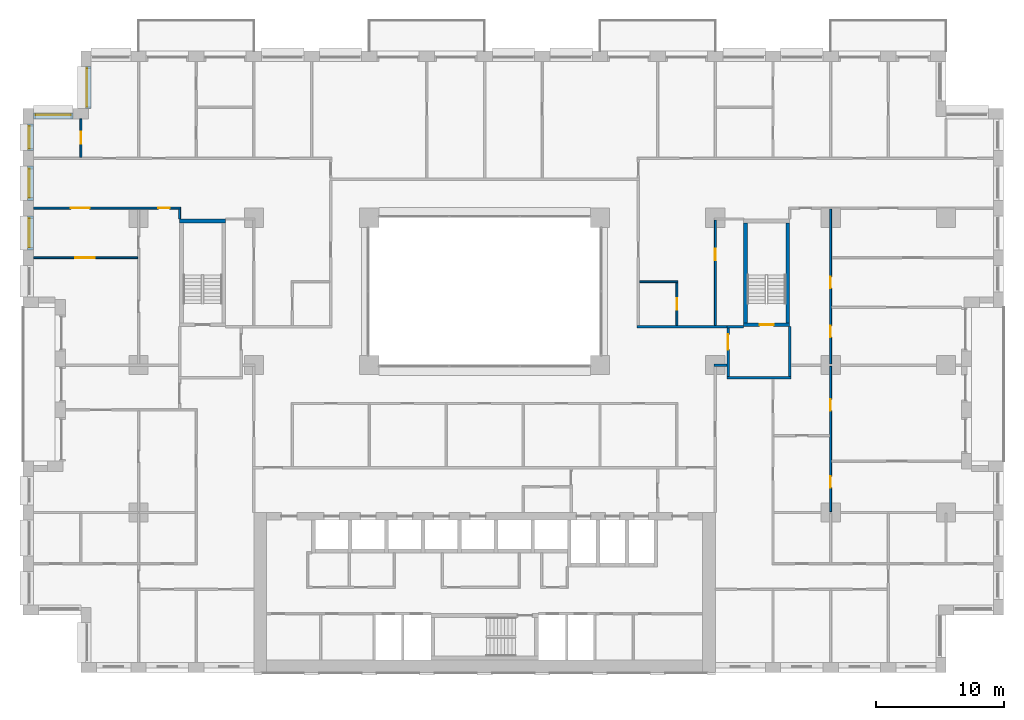
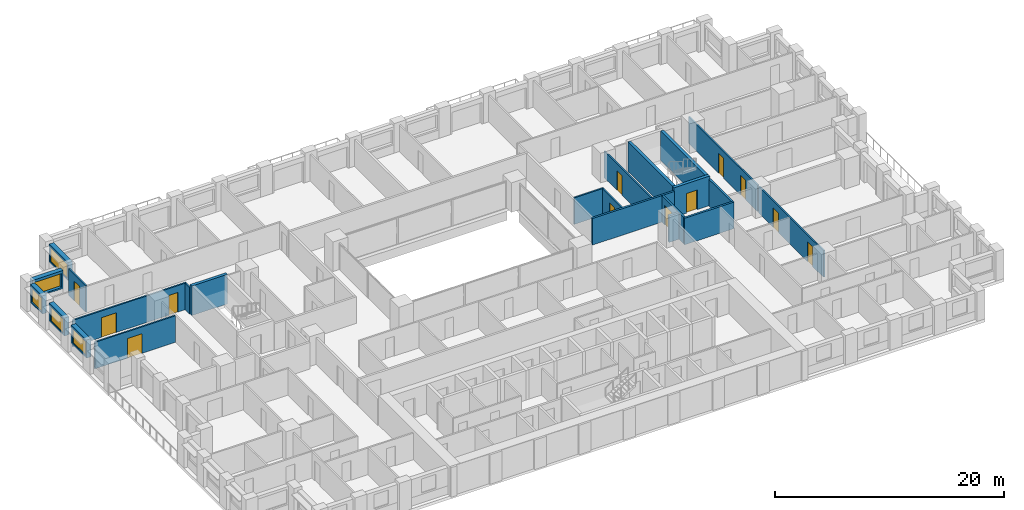
# One storey, part 13 of 19: 24 walls, 12 doors, 5 windows, 17 openings.
"""IFC4 building model written with IfcOpenShell, lengths in metres."""

import ifcopenshell
import ifcopenshell.guid

model = None  # the IFC model being written
_history = None  # IfcOwnerHistory: only IFC2X3 demands one
_inside = {}  # id of a spatial element -> (the spatial element, [elements in it])
_under = {}  # id of a project, library or spatial element -> (it, [spatial elements below it])
_declared = {}  # id of a project -> (the project, [libraries it declares])
_typed = {}  # id of a type object -> (the type object, [elements of that type])
_made_of = {}  # id of a material, layer set ... -> (it, [elements and type objects made of it])


def new_model(schema):
    """Start an empty IFC model of exactly this schema.

    Asked for "IFC4X3", IfcOpenShell would pick the latest addendum, in which some entities
    have other attributes; the version numbers below select the first issue.
    IFC2X3 requires an IfcOwnerHistory on every rooted entity: one is made here for all.
    """
    global model, _history
    if schema == "IFC4X3":
        model = ifcopenshell.file(schema_version=(4, 3, 0, 0))
    else:
        model = ifcopenshell.file(schema=schema)
    _inside.clear()
    _under.clear()
    _declared.clear()
    _typed.clear()
    _made_of.clear()
    _history = None
    if model.schema == "IFC2X3":
        org = make("IfcOrganization", Name="unknown")
        user = make(
            "IfcPersonAndOrganization",
            ThePerson=make("IfcPerson", FamilyName="unknown"),
            TheOrganization=org,
        )
        app = make(
            "IfcApplication",
            ApplicationDeveloper=org,
            Version="unknown",
            ApplicationFullName="unknown",
            ApplicationIdentifier="unknown",
        )
        _history = make(
            "IfcOwnerHistory",
            OwningUser=user,
            OwningApplication=app,
            ChangeAction="ADDED",
            CreationDate=0,
        )
    return model


def make(cls, **values):
    """One entity of the class cls with the attributes given. An attribute that is None is left unset."""
    return model.create_entity(
        cls, **{name: value for name, value in values.items() if value is not None}
    )


def rooted(cls, **values):
    """An entity with a GlobalId (a new one), such as an element, a storey or a relation."""
    return make(cls, GlobalId=ifcopenshell.guid.new(), OwnerHistory=_history, **values)


def si_unit(unit_type, name, prefix=None):
    """IfcSIUnit, for example si_unit("LENGTHUNIT", "METRE", prefix="MILLI")."""
    return make("IfcSIUnit", UnitType=unit_type, Prefix=prefix, Name=name)


def assignment(units):
    """IfcUnitAssignment: the units of a project."""
    return None if units is None else make("IfcUnitAssignment", Units=units)


def point(xyz):
    """IfcCartesianPoint."""
    return None if xyz is None else make("IfcCartesianPoint", Coordinates=xyz)


def direction(xyz):
    """IfcDirection."""
    return None if xyz is None else make("IfcDirection", DirectionRatios=xyz)


def frame(location, z_axis=None, x_axis=None):
    """IfcAxis2Placement3D, a coordinate frame: its origin and axes. An axis left out is left unset."""
    return make(
        "IfcAxis2Placement3D",
        Location=point(location),
        Axis=direction(z_axis),
        RefDirection=direction(x_axis),
    )


def frame_2d(location, x_axis=None):
    """IfcAxis2Placement2D, a coordinate frame in the plane: its origin and x axis."""
    return make(
        "IfcAxis2Placement2D", Location=point(location), RefDirection=direction(x_axis)
    )


def origin():
    """The frame at (0, 0, 0) with its axes left unset."""
    return frame((0.0, 0.0, 0.0))


def place(relative_to, where):
    """IfcLocalPlacement: puts the frame where relative to a parent placement (None: the world)."""
    return make(
        "IfcLocalPlacement", PlacementRelTo=relative_to, RelativePlacement=where
    )


def context(
    kind, dimensions, precision=None, world=None, true_north=None, identifier=None
):
    """IfcGeometricRepresentationContext, for example the 3D "Model" context."""
    return make(
        "IfcGeometricRepresentationContext",
        ContextIdentifier=identifier,
        ContextType=kind,
        CoordinateSpaceDimension=dimensions,
        Precision=precision,
        WorldCoordinateSystem=world,
        TrueNorth=true_north,
    )


def subcontext(parent, identifier, kind, view, scale=None):
    """IfcGeometricRepresentationSubContext, for example "Body" below "Model"."""
    return make(
        "IfcGeometricRepresentationSubContext",
        ContextIdentifier=identifier,
        ContextType=kind,
        ParentContext=parent,
        TargetScale=scale,
        TargetView=view,
    )


def project(units=None, contexts=None):
    """IfcProject with its units and contexts."""
    return rooted(
        "IfcProject",
        Name="project",
        RepresentationContexts=contexts,
        UnitsInContext=assignment(units),
    )


def spatial(cls, under=None, at=None, **own):
    """A site, building, storey or space (cls), placed at a placement, below another one or the project."""
    s = rooted(cls, ObjectPlacement=at, **own)
    if under is not None:
        _under.setdefault(under.id(), (under, []))[1].append(s)
    return s


def profile(cls, at=None, kind="AREA", **sizes):
    """A parametric profile (cls). Its sizes go by their IFC names, for example OverallWidth=200.0."""
    return make(cls, ProfileType=kind, Position=at, **sizes)


def rectangle(**sizes):
    """IfcRectangleProfileDef."""
    return profile("IfcRectangleProfileDef", **sizes)


def extrude(swept, where, along, depth):
    """IfcExtrudedAreaSolid: the profile swept, set in the frame where, extruded along a direction by depth."""
    return make(
        "IfcExtrudedAreaSolid",
        SweptArea=swept,
        Position=where,
        ExtrudedDirection=direction(along),
        Depth=depth,
    )


def shape(context_of_items, identifier, shape_type, items):
    """IfcShapeRepresentation: the items that make up one representation, for example the "Body"."""
    return make(
        "IfcShapeRepresentation",
        ContextOfItems=context_of_items,
        RepresentationIdentifier=identifier,
        RepresentationType=shape_type,
        Items=items,
    )


def material(Name=None, Category=None):
    """IfcMaterial."""
    return make("IfcMaterial", Name=Name, Category=Category)


def layer(
    of_material, thickness, ventilated=None, Name=None, Category=None, Priority=None
):
    """IfcMaterialLayer: one layer of a wall or slab, of a material (None: an air gap)."""
    return make(
        "IfcMaterialLayer",
        Material=of_material,
        LayerThickness=thickness,
        IsVentilated=ventilated,
        Name=Name,
        Category=Category,
        Priority=Priority,
    )


def layer_set(layers, Name=None):
    """IfcMaterialLayerSet."""
    return make("IfcMaterialLayerSet", MaterialLayers=layers, LayerSetName=Name)


def made_of(thing, what):
    """Note that an element or type object is made of a material, layer set ...; save() writes the relation."""
    if what is not None:
        _made_of.setdefault(what.id(), (what, []))[1].append(thing)
    return thing


def type_object(cls, material=None, **own):
    """A type object (cls), such as IfcWallType, which elements share."""
    return made_of(rooted(cls, **own), material)


def element(
    cls,
    number,
    at=None,
    inside=None,
    cuts=None,
    type_object=None,
    material=None,
    context=None,
    identifier="Body",
    shape_type=None,
    held_by="IfcProductDefinitionShape",
    body=None,
    shapes=None,
    **own,
):
    """One element of the class cls, such as IfcWall. Its Tag is "e" and its number.

    at: its placement. inside: the storey or other place that contains it. cuts: it is an
    opening in that element (IfcRelVoidsElement). A single representation is given by context,
    identifier, shape_type and body (its items); several are given by shapes. held_by: the class
    of the entity that holds the representations. save() writes the other relations.
    """
    e = rooted(cls, Tag="e%d" % number, ObjectPlacement=at, **own)
    if body is not None:
        shapes = [shape(context, identifier, shape_type, body)]
    if shapes is not None:
        e.Representation = make(held_by, Representations=shapes)
    if inside is not None:
        _inside.setdefault(inside.id(), (inside, []))[1].append(e)
    if cuts is not None:
        rooted(
            "IfcRelVoidsElement", RelatingBuildingElement=cuts, RelatedOpeningElement=e
        )
    if type_object is not None:
        _typed.setdefault(type_object.id(), (type_object, []))[1].append(e)
    return made_of(e, material)


def fill(opening, filler):
    """IfcRelFillsElement: the door or window that sits in an opening."""
    return rooted(
        "IfcRelFillsElement",
        RelatingOpeningElement=opening,
        RelatedBuildingElement=filler,
    )


def aggregate(whole, parts):
    """IfcRelAggregates: a whole, such as a stair, and the parts it consists of."""
    return rooted("IfcRelAggregates", RelatingObject=whole, RelatedObjects=parts)


def save(model, path):
    """Write the relations noted so far, then the file.

    IfcRelAggregates (storeys below a building ...), IfcRelContainedInSpatialStructure (elements
    in a storey), IfcRelDefinesByType, IfcRelAssociatesMaterial and IfcRelDeclares: one each for
    every whole, place, type object, material and project.
    """
    for whole, parts in _under.values():
        aggregate(whole, parts)
    for where, things in _inside.values():
        rooted(
            "IfcRelContainedInSpatialStructure",
            RelatedElements=things,
            RelatingStructure=where,
        )
    for kind, things in _typed.values():
        rooted("IfcRelDefinesByType", RelatedObjects=things, RelatingType=kind)
    for what, things in _made_of.values():
        rooted("IfcRelAssociatesMaterial", RelatedObjects=things, RelatingMaterial=what)
    for by, libraries in _declared.values():
        rooted("IfcRelDeclares", RelatingContext=by, RelatedDefinitions=libraries)
    model.write(path)


model = new_model("IFC4")

# Units and contexts
model_context = context("Model", 3, precision=1e-05, world=origin(), true_north=direction((0.0, 1.0)))
body_context = subcontext(model_context, "Body", "Model", "MODEL_VIEW")
ifc_project = project(units=[si_unit("LENGTHUNIT", "METRE"), si_unit("AREAUNIT", "SQUARE_METRE"), si_unit("VOLUMEUNIT", "CUBIC_METRE"), si_unit("PLANEANGLEUNIT", "RADIAN"), si_unit("MASSUNIT", "GRAM", prefix="KILO")], contexts=[model_context])

# Site, building, storey
site_placement = place(None, origin())
site = spatial("IfcSite", under=ifc_project, at=site_placement, CompositionType="ELEMENT")
building_placement = place(site_placement, origin())
building = spatial("IfcBuilding", under=site, at=building_placement, Name="Brigalow Station Residences", CompositionType="ELEMENT")
storey_placement = place(building_placement, frame((0.0, 0.0, 25.800048828125)))
storey = spatial("IfcBuildingStorey", under=building, at=storey_placement, Name="L06", CompositionType="ELEMENT", Elevation=25.800048828125)

# Wall, opening, window
ifc_material_1 = material(Name="Clay brick masonry", Category="masonry")
ifc_layer_1 = layer(ifc_material_1, 0.449951171875)
ifc_layer_set_1 = layer_set([ifc_layer_1], Name="BRICK INFILL WALL 450")
wall_type_1 = type_object("IfcWallType", Name="BRICK INFILL WALL 450", PredefinedType="SOLIDWALL", material=ifc_layer_set_1)
wall_1_placement = place(storey_placement, frame((5.074951171875, 47.300048828125, 0.89990234375), z_axis=(0.0, 0.0, 1.0), x_axis=(0.0, -1.0, 0.0)))
wall_1 = element("IfcWall", 1, at=wall_1_placement, inside=storey, type_object=wall_type_1, Name="L06/ewall/W-L06-40", PredefinedType="SOLIDWALL", context=body_context, shape_type="SweptSolid", body=[
    extrude(rectangle(XDim=3.300048828125, YDim=0.449951171875, at=frame_2d((1.64990234375, 0.0))), origin(), (0.0, 0.0, 1.0), 1.929931640625),
])
opening_1_placement = place(wall_1_placement, frame((0.14990234375, 0.0, 0.14990234375)))
opening_1 = element("IfcOpeningElement", 2, at=opening_1_placement, cuts=wall_1, Name="Opening WT-2", PredefinedType="OPENING", context=body_context, shape_type="SweptSolid", body=[
    extrude(rectangle(XDim=3.0, YDim=1.5, at=frame_2d((1.5, 0.75))), frame((0.0, 0.23486328125, 0.0), z_axis=(0.0, -1.0, 0.0), x_axis=(1.0, 0.0, 0.0)), (0.0, 0.0, 1.0), 0.469970703125),
])
ifc_material_2 = material(Name="Anodised aluminium frame with double glazing", Category="aluminium")
window_type_1 = type_object("IfcWindowType", Name="WINDOW 3000x1500", PartitioningType="SINGLE_PANEL", PredefinedType="WINDOW", material=ifc_material_2)
window_1_placement = place(opening_1_placement, origin())
window_1 = element("IfcWindow", 3, at=window_1_placement, inside=storey, type_object=window_type_1, Name="L06/window/W-L06-40", OverallHeight=1.5, OverallWidth=3.0, PartitioningType="SINGLE_PANEL", PredefinedType="WINDOW", context=body_context, shape_type="SweptSolid", body=[
    extrude(rectangle(XDim=3.0, YDim=1.5, at=frame_2d((1.5, 0.75))), frame((0.0, -0.06494140625, 0.0), z_axis=(0.0, -1.0, 0.0), x_axis=(1.0, 0.0, 0.0)), (0.0, 0.0, 1.0), 0.06005859375),
])
fill(opening_1, window_1)

wall_2_placement = place(storey_placement, frame((3.89990234375, 43.425048828125, 0.89990234375), z_axis=(0.0, 0.0, 1.0), x_axis=(-1.0, 0.0, 0.0)))
wall_2 = element("IfcWall", 4, at=wall_2_placement, inside=storey, type_object=wall_type_1, Name="L06/ewall/W-L06-41", PredefinedType="SOLIDWALL", context=body_context, shape_type="SweptSolid", body=[
    extrude(rectangle(XDim=3.099853515625, YDim=0.449951171875, at=frame_2d((1.5498046875, 0.0))), origin(), (0.0, 0.0, 1.0), 1.929931640625),
])
opening_2_placement = place(wall_2_placement, frame((0.175048828125, 0.0, 0.14990234375)))
opening_2 = element("IfcOpeningElement", 5, at=opening_2_placement, cuts=wall_2, Name="Opening WT-3", PredefinedType="OPENING", context=body_context, shape_type="SweptSolid", body=[
    extrude(rectangle(XDim=2.75, YDim=1.5, at=frame_2d((1.375, 0.75))), frame((0.0, 0.23486328125, 0.0), z_axis=(0.0, -1.0, 0.0), x_axis=(1.0, 0.0, 0.0)), (0.0, 0.0, 1.0), 0.469970703125),
])
ifc_material_3 = material(Name="Anodised aluminium frame with double glazing", Category="aluminium")
window_type_2 = type_object("IfcWindowType", Name="WINDOW 2750x1500", PartitioningType="SINGLE_PANEL", PredefinedType="WINDOW", material=ifc_material_3)
window_2_placement = place(opening_2_placement, origin())
window_2 = element("IfcWindow", 6, at=window_2_placement, inside=storey, type_object=window_type_2, Name="L06/window/W-L06-41", OverallHeight=1.5, OverallWidth=2.75, PartitioningType="SINGLE_PANEL", PredefinedType="WINDOW", context=body_context, shape_type="SweptSolid", body=[
    extrude(rectangle(XDim=2.75, YDim=1.5, at=frame_2d((1.375, 0.75))), frame((0.0, -0.06494140625, 0.0), z_axis=(0.0, -1.0, 0.0), x_axis=(1.0, 0.0, 0.0)), (0.0, 0.0, 1.0), 0.06005859375),
])
fill(opening_2, window_2)

wall_3_placement = place(storey_placement, frame((0.574951171875, 42.800048828125, 0.89990234375), z_axis=(0.0, 0.0, 1.0), x_axis=(0.0, -1.0, 0.0)))
wall_3 = element("IfcWall", 7, at=wall_3_placement, inside=storey, type_object=wall_type_1, Name="L06/ewall/W-L06-42", PredefinedType="SOLIDWALL", context=body_context, shape_type="SweptSolid", body=[
    extrude(rectangle(XDim=2.074951171875, YDim=0.449951171875, at=frame_2d((1.03759765625, 0.0))), origin(), (0.0, 0.0, 1.0), 1.929931640625),
])
opening_3_placement = place(wall_3_placement, frame((0.16259765625, 0.0, 0.14990234375)))
opening_3 = element("IfcOpeningElement", 8, at=opening_3_placement, cuts=wall_3, Name="Opening WT-4", PredefinedType="OPENING", context=body_context, shape_type="SweptSolid", body=[
    extrude(rectangle(XDim=1.75, YDim=1.5, at=frame_2d((0.875, 0.75))), frame((0.0, 0.23486328125, 0.0), z_axis=(0.0, -1.0, 0.0), x_axis=(1.0, 0.0, 0.0)), (0.0, 0.0, 1.0), 0.469970703125),
])
ifc_material_4 = material(Name="Anodised aluminium frame with double glazing", Category="aluminium")
window_type_3 = type_object("IfcWindowType", Name="WINDOW 1750x1500", PartitioningType="SINGLE_PANEL", PredefinedType="WINDOW", material=ifc_material_4)
window_3_placement = place(opening_3_placement, origin())
window_3 = element("IfcWindow", 9, at=window_3_placement, inside=storey, type_object=window_type_3, Name="L06/window/W-L06-42", OverallHeight=1.5, OverallWidth=1.75, PartitioningType="SINGLE_PANEL", PredefinedType="WINDOW", context=body_context, shape_type="SweptSolid", body=[
    extrude(rectangle(XDim=1.75, YDim=1.5, at=frame_2d((0.875, 0.75))), frame((0.0, -0.06494140625, 0.0), z_axis=(0.0, -1.0, 0.0), x_axis=(1.0, 0.0, 0.0)), (0.0, 0.0, 1.0), 0.06005859375),
])
fill(opening_3, window_3)

wall_4_placement = place(storey_placement, frame((0.574951171875, 39.52490234375, 0.89990234375), z_axis=(0.0, 0.0, 1.0), x_axis=(0.0, -1.0, 0.0)))
wall_4 = element("IfcWall", 10, at=wall_4_placement, inside=storey, type_object=wall_type_1, Name="L06/ewall/W-L06-43", PredefinedType="SOLIDWALL", context=body_context, shape_type="SweptSolid", body=[
    extrude(rectangle(XDim=2.6748046875, YDim=0.449951171875, at=frame_2d((1.33740234375, 0.0))), origin(), (0.0, 0.0, 1.0), 1.929931640625),
])
opening_4_placement = place(wall_4_placement, frame((0.21240234375, 0.0, 0.14990234375)))
opening_4 = element("IfcOpeningElement", 11, at=opening_4_placement, cuts=wall_4, Name="Opening WT-6", PredefinedType="OPENING", context=body_context, shape_type="SweptSolid", body=[
    extrude(rectangle(XDim=2.25, YDim=1.5, at=frame_2d((1.125, 0.75))), frame((0.0, 0.23486328125, 0.0), z_axis=(0.0, -1.0, 0.0), x_axis=(1.0, 0.0, 0.0)), (0.0, 0.0, 1.0), 0.469970703125),
])
ifc_material_5 = material(Name="Anodised aluminium frame with double glazing", Category="aluminium")
window_type_4 = type_object("IfcWindowType", Name="WINDOW 2250x1500", PartitioningType="SINGLE_PANEL", PredefinedType="WINDOW", material=ifc_material_5)
window_4_placement = place(opening_4_placement, origin())
window_4 = element("IfcWindow", 12, at=window_4_placement, inside=storey, type_object=window_type_4, Name="L06/window/W-L06-43", OverallHeight=1.5, OverallWidth=2.25, PartitioningType="SINGLE_PANEL", PredefinedType="WINDOW", context=body_context, shape_type="SweptSolid", body=[
    extrude(rectangle(XDim=2.25, YDim=1.5, at=frame_2d((1.125, 0.75))), frame((0.0, -0.06494140625, 0.0), z_axis=(0.0, -1.0, 0.0), x_axis=(1.0, 0.0, 0.0)), (0.0, 0.0, 1.0), 0.06005859375),
])
fill(opening_4, window_4)

wall_5_placement = place(storey_placement, frame((0.574951171875, 35.64990234375, 0.89990234375), z_axis=(0.0, 0.0, 1.0), x_axis=(0.0, -1.0, 0.0)))
wall_5 = element("IfcWall", 13, at=wall_5_placement, inside=storey, type_object=wall_type_1, Name="L06/ewall/W-L06-44", PredefinedType="SOLIDWALL", context=body_context, shape_type="SweptSolid", body=[
    extrude(rectangle(XDim=2.6748046875, YDim=0.449951171875, at=frame_2d((1.33740234375, 0.0))), origin(), (0.0, 0.0, 1.0), 1.929931640625),
])
opening_5_placement = place(wall_5_placement, frame((0.21240234375, 0.0, 0.14990234375)))
opening_5 = element("IfcOpeningElement", 14, at=opening_5_placement, cuts=wall_5, Name="Opening WT-6", PredefinedType="OPENING", context=body_context, shape_type="SweptSolid", body=[
    extrude(rectangle(XDim=2.25, YDim=1.5, at=frame_2d((1.125, 0.75))), frame((0.0, 0.23486328125, 0.0), z_axis=(0.0, -1.0, 0.0), x_axis=(1.0, 0.0, 0.0)), (0.0, 0.0, 1.0), 0.469970703125),
])
window_5_placement = place(opening_5_placement, origin())
window_5 = element("IfcWindow", 15, at=window_5_placement, inside=storey, type_object=window_type_4, Name="L06/window/W-L06-44", OverallHeight=1.5, OverallWidth=2.25, PartitioningType="SINGLE_PANEL", PredefinedType="WINDOW", context=body_context, shape_type="SweptSolid", body=[
    extrude(rectangle(XDim=2.25, YDim=1.5, at=frame_2d((1.125, 0.75))), frame((0.0, -0.06494140625, 0.0), z_axis=(0.0, -1.0, 0.0), x_axis=(1.0, 0.0, 0.0)), (0.0, 0.0, 1.0), 0.06005859375),
])
fill(opening_5, window_5)

# Wall
ifc_material_6 = material(Name="Concrete C80", Category="concrete")
ifc_layer_2 = layer(ifc_material_6, 0.300048828125)
ifc_layer_set_2 = layer_set([ifc_layer_2], Name="CORE SHEAR WALL 300 C80")
wall_type_2 = type_object("IfcWallType", Name="CORE SHEAR WALL 300 C80", PredefinedType="SHEAR", material=ifc_layer_set_2)
wall_6_placement = place(storey_placement, frame((12.199951171875, 35.25, 0.0), z_axis=(0.0, 0.0, 1.0), x_axis=(1.0, 0.0, 0.0)))
element("IfcWall", 16, at=wall_6_placement, inside=storey, type_object=wall_type_2, Name="CORE WALL ST-S1-N L06", PredefinedType="SHEAR", context=body_context, shape_type="SweptSolid", body=[
    extrude(rectangle(XDim=3.60009765625, YDim=0.300048828125, at=frame_2d((1.800048828125, 0.0))), origin(), (0.0, 0.0, 1.0), 3.14990234375),
])

# Wall, opening, door
wall_7_placement = place(storey_placement, frame((56.199951171875, 27.14990234375, 0.0), z_axis=(0.0, 0.0, 1.0), x_axis=(1.0, 0.0, 0.0)))
wall_7 = element("IfcWall", 17, at=wall_7_placement, inside=storey, type_object=wall_type_2, Name="CORE WALL ST-S3-S L06", PredefinedType="SHEAR", context=body_context, shape_type="SweptSolid", body=[
    extrude(rectangle(XDim=3.60009765625, YDim=0.300048828125, at=frame_2d((1.800048828125, 0.0))), origin(), (0.0, 0.0, 1.0), 3.14990234375),
])
opening_6_placement = place(wall_7_placement, frame((1.25, 0.0, 0.0)))
opening_6 = element("IfcOpeningElement", 18, at=opening_6_placement, cuts=wall_7, Name="Opening D-5018", PredefinedType="OPENING", context=body_context, shape_type="SweptSolid", body=[
    extrude(rectangle(XDim=1.10009765625, YDim=2.10009765625, at=frame_2d((0.550048828125, 1.050048828125))), frame((0.0, 0.16015625, 0.0), z_axis=(0.0, -1.0, 0.0), x_axis=(1.0, 0.0, 0.0)), (0.0, 0.0, 1.0), 0.320068359375),
])
ifc_material_7 = material(Name="Steel fire door leaf in steel frame", Category="steel")
door_type_1 = type_object("IfcDoorType", Name="STAIR DOOR 1100 x 2100 FD60S", OperationType="SINGLE_SWING_LEFT", PredefinedType="DOOR", material=ifc_material_7)
door_1_placement = place(opening_6_placement, origin())
door_1 = element("IfcDoor", 19, at=door_1_placement, inside=storey, type_object=door_type_1, Name="D-5018", OperationType="SINGLE_SWING_LEFT", OverallHeight=2.10009765625, OverallWidth=1.10009765625, PredefinedType="DOOR", context=body_context, shape_type="SweptSolid", body=[
    extrude(rectangle(XDim=1.10009765625, YDim=2.10009765625, at=frame_2d((0.550048828125, 1.050048828125))), frame((0.0, 0.02490234375, 0.0), z_axis=(0.0, -1.0, 0.0), x_axis=(1.0, 0.0, 0.0)), (0.0, 0.0, 1.0), 0.050048828125),
])
fill(opening_6, door_1)

# Walls
for number, where, z_axis, x_axis, name in (
    (20, (56.35009765625, 27.300048828125, 0.0), (0.0, 0.0, 1.0), (0.0, 1.0, 0.0), "CORE WALL ST-S3-W L06"),
    (21, (59.64990234375, 27.300048828125, 0.0), (0.0, 0.0, 1.0), (0.0, 1.0, 0.0), "CORE WALL ST-S3-E L06"),
):
    element("IfcWall", number, at=place(storey_placement, frame(where, z_axis=z_axis, x_axis=x_axis)), inside=storey, type_object=wall_type_2, Name=name, PredefinedType="SHEAR", context=body_context, shape_type="SweptSolid", body=[
        extrude(rectangle(XDim=7.800048828125, YDim=0.300048828125, at=frame_2d((3.89990234375, 0.0))), origin(), (0.0, 0.0, 1.0), 3.14990234375),
    ])
ifc_material_8 = material(Name="Concrete blockwork", Category="masonry")
ifc_layer_3 = layer(ifc_material_8, 0.199951171875)
ifc_layer_set_3 = layer_set([ifc_layer_3], Name="FIRE RATED CORE PARTITION 200")
wall_type_3 = type_object("IfcWallType", Name="FIRE RATED CORE PARTITION 200", PredefinedType="PARTITIONING", material=ifc_layer_set_3)
wall_8_placement = place(storey_placement, frame((54.89990234375, 23.0, 0.0), z_axis=(0.0, 0.0, 1.0), x_axis=(1.0, 0.0, 0.0)))
element("IfcWall", 22, at=wall_8_placement, inside=storey, type_object=wall_type_3, Name="PW-5024", PredefinedType="PARTITIONING", context=body_context, shape_type="SweptSolid", body=[
    extrude(rectangle(XDim=5.0, YDim=0.199951171875, at=frame_2d((2.5, 0.0))), origin(), (0.0, 0.0, 1.0), 2.829833984375),
])
wall_9_placement = place(storey_placement, frame((54.89990234375, 27.0, 0.0), z_axis=(0.0, 0.0, 1.0), x_axis=(1.0, 0.0, 0.0)))
element("IfcWall", 23, at=wall_9_placement, inside=storey, type_object=wall_type_3, Name="PW-5026", PredefinedType="PARTITIONING", context=body_context, shape_type="SweptSolid", body=[
    extrude(rectangle(XDim=1.300048828125, YDim=0.199951171875, at=frame_2d((0.64990234375, 0.0))), origin(), (0.0, 0.0, 1.0), 2.829833984375),
])

# Wall, opening, door
wall_10_placement = place(storey_placement, frame((55.0, 23.10009765625, 0.0), z_axis=(0.0, 0.0, 1.0), x_axis=(0.0, 1.0, 0.0)))
wall_10 = element("IfcWall", 24, at=wall_10_placement, inside=storey, type_object=wall_type_3, Name="PW-5036", PredefinedType="PARTITIONING", context=body_context, shape_type="SweptSolid", body=[
    extrude(rectangle(XDim=3.7998046875, YDim=0.199951171875, at=frame_2d((1.89990234375, 0.0))), origin(), (0.0, 0.0, 1.0), 2.829833984375),
])
opening_7_placement = place(wall_10_placement, frame((2.10009765625, 0.0, 0.0)))
opening_7 = element("IfcOpeningElement", 25, at=opening_7_placement, cuts=wall_10, Name="Opening D-5019", PredefinedType="OPENING", context=body_context, shape_type="SweptSolid", body=[
    extrude(rectangle(XDim=1.199951171875, YDim=2.10009765625, at=frame_2d((0.60009765625, 1.050048828125))), frame((0.0, 0.10986328125, 0.0), z_axis=(0.0, -1.0, 0.0), x_axis=(1.0, 0.0, 0.0)), (0.0, 0.0, 1.0), 0.219970703125),
])
ifc_material_9 = material(Name="Steel fire door leaf in steel frame", Category="steel")
door_type_2 = type_object("IfcDoorType", Name="STAIR LOBBY DOOR 1200 x 2100 FD60S", OperationType="SINGLE_SWING_LEFT", PredefinedType="DOOR", material=ifc_material_9)
door_2_placement = place(opening_7_placement, frame((1.199951171875, 0.0, 0.0), z_axis=(0.0, 0.0, 1.0), x_axis=(-1.0, 0.0, 0.0)))
door_2 = element("IfcDoor", 26, at=door_2_placement, inside=storey, type_object=door_type_2, Name="D-5019", OperationType="SINGLE_SWING_LEFT", OverallHeight=2.10009765625, OverallWidth=1.199951171875, PredefinedType="DOOR", context=body_context, shape_type="SweptSolid", body=[
    extrude(rectangle(XDim=1.199951171875, YDim=2.10009765625, at=frame_2d((0.60009765625, 1.050048828125))), frame((0.0, 0.02490234375, 0.0), z_axis=(0.0, -1.0, 0.0), x_axis=(1.0, 0.0, 0.0)), (0.0, 0.0, 1.0), 0.050048828125),
])
fill(opening_7, door_2)

# Wall
wall_11_placement = place(storey_placement, frame((59.800048828125, 23.10009765625, 0.0), z_axis=(0.0, 0.0, 1.0), x_axis=(0.0, 1.0, 0.0)))
element("IfcWall", 27, at=wall_11_placement, inside=storey, type_object=wall_type_3, Name="PW-5037", PredefinedType="PARTITIONING", context=body_context, shape_type="SweptSolid", body=[
    extrude(rectangle(XDim=3.89990234375, YDim=0.199951171875, at=frame_2d((1.949951171875, 0.0))), origin(), (0.0, 0.0, 1.0), 2.829833984375),
])

# Wall, opening, door
ifc_material_10 = material(Name="Plasterboard on steel stud partition", Category="steel")
ifc_layer_4 = layer(ifc_material_10, 0.14990234375)
ifc_layer_set_4 = layer_set([ifc_layer_4], Name="FLAT PARTITION 150")
wall_type_4 = type_object("IfcWallType", Name="FLAT PARTITION 150", PredefinedType="PARTITIONING", material=ifc_layer_set_4)
wall_12_placement = place(storey_placement, frame((0.800048828125, 32.375, 0.0), z_axis=(0.0, 0.0, 1.0), x_axis=(1.0, 0.0, 0.0)))
wall_12 = element("IfcWall", 28, at=wall_12_placement, inside=storey, type_object=wall_type_4, Name="PW-1A16", PredefinedType="PARTITIONING", context=body_context, shape_type="SweptSolid", body=[
    extrude(rectangle(XDim=8.125, YDim=0.14990234375, at=frame_2d((4.0625, 0.0))), origin(), (0.0, 0.0, 1.0), 2.829833984375),
])
opening_8_placement = place(wall_12_placement, frame((3.27490234375, 0.0, 0.0)))
opening_8 = element("IfcOpeningElement", 29, at=opening_8_placement, cuts=wall_12, Name="Opening D-1A15", PredefinedType="OPENING", context=body_context, shape_type="SweptSolid", body=[
    extrude(rectangle(XDim=1.5, YDim=2.10009765625, at=frame_2d((0.75, 1.050048828125))), frame((0.0, 0.0849609375, 0.0), z_axis=(0.0, -1.0, 0.0), x_axis=(1.0, 0.0, 0.0)), (0.0, 0.0, 1.0), 0.169921875),
])
ifc_material_11 = material(Name="Solid-core timber door leaf", Category="wood")
door_type_3 = type_object("IfcDoorType", Name="INTERNAL DOUBLE DOOR 1500 x 2100", OperationType="DOUBLE_DOOR_SINGLE_SWING", PredefinedType="DOOR", material=ifc_material_11)
door_3_placement = place(opening_8_placement, origin())
door_3 = element("IfcDoor", 30, at=door_3_placement, inside=storey, type_object=door_type_3, Name="D-1A15", OperationType="DOUBLE_DOOR_SINGLE_SWING", OverallHeight=2.10009765625, OverallWidth=1.5, PredefinedType="DOOR", context=body_context, shape_type="SweptSolid", body=[
    extrude(rectangle(XDim=1.5, YDim=2.10009765625, at=frame_2d((0.75, 1.050048828125))), frame((0.0, 0.02490234375, 0.0), z_axis=(0.0, -1.0, 0.0), x_axis=(1.0, 0.0, 0.0)), (0.0, 0.0, 1.0), 0.050048828125),
])
fill(opening_8, door_3)

# Wall, openings, doors
wall_13_placement = place(storey_placement, frame((0.800048828125, 36.25, 0.0), z_axis=(0.0, 0.0, 1.0), x_axis=(1.0, 0.0, 0.0)))
wall_13 = element("IfcWall", 31, at=wall_13_placement, inside=storey, type_object=wall_type_4, Name="PW-1A18", PredefinedType="PARTITIONING", context=body_context, shape_type="SweptSolid", body=[
    extrude(rectangle(XDim=11.474853515625, YDim=0.14990234375, at=frame_2d((5.7373046875, 0.0))), origin(), (0.0, 0.0, 1.0), 2.829833984375),
])
opening_9_placement = place(wall_13_placement, frame((2.89990234375, 0.0, 0.0)))
opening_9 = element("IfcOpeningElement", 32, at=opening_9_placement, cuts=wall_13, Name="Opening D-1A14", PredefinedType="OPENING", context=body_context, shape_type="SweptSolid", body=[
    extrude(rectangle(XDim=1.5, YDim=2.10009765625, at=frame_2d((0.75, 1.050048828125))), frame((0.0, 0.0849609375, 0.0), z_axis=(0.0, -1.0, 0.0), x_axis=(1.0, 0.0, 0.0)), (0.0, 0.0, 1.0), 0.169921875),
])
opening_10_placement = place(wall_13_placement, frame((9.72509765625, 0.0, 0.0)))
opening_10 = element("IfcOpeningElement", 33, at=opening_10_placement, cuts=wall_13, Name="Opening D-1A18", PredefinedType="OPENING", context=body_context, shape_type="SweptSolid", body=[
    extrude(rectangle(XDim=0.89990234375, YDim=2.10009765625, at=frame_2d((0.449951171875, 1.050048828125))), frame((0.0, 0.0849609375, 0.0), z_axis=(0.0, -1.0, 0.0), x_axis=(1.0, 0.0, 0.0)), (0.0, 0.0, 1.0), 0.169921875),
])
ifc_material_12 = material(Name="Solid-core timber door leaf", Category="wood")
door_type_4 = type_object("IfcDoorType", Name="INTERNAL DOOR 900 x 2100", OperationType="SINGLE_SWING_LEFT", PredefinedType="DOOR", material=ifc_material_12)
door_4_placement = place(opening_10_placement, frame((0.89990234375, 0.0, 0.0), z_axis=(0.0, 0.0, 1.0), x_axis=(-1.0, 0.0, 0.0)))
door_4 = element("IfcDoor", 34, at=door_4_placement, inside=storey, type_object=door_type_4, Name="D-1A18", OperationType="SINGLE_SWING_LEFT", OverallHeight=2.10009765625, OverallWidth=0.89990234375, PredefinedType="DOOR", context=body_context, shape_type="SweptSolid", body=[
    extrude(rectangle(XDim=0.89990234375, YDim=2.10009765625, at=frame_2d((0.449951171875, 1.050048828125))), frame((0.0, 0.02490234375, 0.0), z_axis=(0.0, -1.0, 0.0), x_axis=(1.0, 0.0, 0.0)), (0.0, 0.0, 1.0), 0.050048828125),
])
fill(opening_10, door_4)
door_5_placement = place(opening_9_placement, frame((1.5, 0.0, 0.0), z_axis=(0.0, 0.0, 1.0), x_axis=(-1.0, 0.0, 0.0)))
door_5 = element("IfcDoor", 35, at=door_5_placement, inside=storey, type_object=door_type_3, Name="D-1A14", OperationType="DOUBLE_DOOR_SINGLE_SWING", OverallHeight=2.10009765625, OverallWidth=1.5, PredefinedType="DOOR", context=body_context, shape_type="SweptSolid", body=[
    extrude(rectangle(XDim=1.5, YDim=2.10009765625, at=frame_2d((0.75, 1.050048828125))), frame((0.0, 0.02490234375, 0.0), z_axis=(0.0, -1.0, 0.0), x_axis=(1.0, 0.0, 0.0)), (0.0, 0.0, 1.0), 0.050048828125),
])
fill(opening_9, door_5)

# Wall
wall_14_placement = place(storey_placement, frame((48.10009765625, 30.5, 0.0), z_axis=(0.0, 0.0, 1.0), x_axis=(1.0, 0.0, 0.0)))
element("IfcWall", 36, at=wall_14_placement, inside=storey, type_object=wall_type_4, Name="PW-1A25", PredefinedType="PARTITIONING", context=body_context, shape_type="SweptSolid", body=[
    extrude(rectangle(XDim=2.974853515625, YDim=0.14990234375, at=frame_2d((1.4873046875, 0.0))), origin(), (0.0, 0.0, 1.0), 2.829833984375),
])

# Wall, opening, door
wall_15_placement = place(storey_placement, frame((54.0, 27.10009765625, 0.0), z_axis=(0.0, 0.0, 1.0), x_axis=(0.0, 1.0, 0.0)))
wall_15 = element("IfcWall", 37, at=wall_15_placement, inside=storey, type_object=wall_type_4, Name="PW-1A35", PredefinedType="PARTITIONING", context=body_context, shape_type="SweptSolid", body=[
    extrude(rectangle(XDim=8.224853515625, YDim=0.14990234375, at=frame_2d((4.1123046875, 0.0))), origin(), (0.0, 0.0, 1.0), 2.829833984375),
])
opening_11_placement = place(wall_15_placement, frame((5.074951171875, 0.0, 0.0)))
opening_11 = element("IfcOpeningElement", 38, at=opening_11_placement, cuts=wall_15, Name="Opening D-1A51", PredefinedType="OPENING", context=body_context, shape_type="SweptSolid", body=[
    extrude(rectangle(XDim=0.89990234375, YDim=2.10009765625, at=frame_2d((0.449951171875, 1.050048828125))), frame((0.0, 0.0849609375, 0.0), z_axis=(0.0, -1.0, 0.0), x_axis=(1.0, 0.0, 0.0)), (0.0, 0.0, 1.0), 0.169921875),
])
door_6_placement = place(opening_11_placement, frame((0.89990234375, 0.0, 0.0), z_axis=(0.0, 0.0, 1.0), x_axis=(-1.0, 0.0, 0.0)))
door_6 = element("IfcDoor", 39, at=door_6_placement, inside=storey, type_object=door_type_4, Name="D-1A51", OperationType="SINGLE_SWING_LEFT", OverallHeight=2.10009765625, OverallWidth=0.89990234375, PredefinedType="DOOR", context=body_context, shape_type="SweptSolid", body=[
    extrude(rectangle(XDim=0.89990234375, YDim=2.10009765625, at=frame_2d((0.449951171875, 1.050048828125))), frame((0.0, 0.02490234375, 0.0), z_axis=(0.0, -1.0, 0.0), x_axis=(1.0, 0.0, 0.0)), (0.0, 0.0, 1.0), 0.050048828125),
])
fill(opening_11, door_6)

wall_16_placement = place(storey_placement, frame((51.0, 27.10009765625, 0.0), z_axis=(0.0, 0.0, 1.0), x_axis=(0.0, 1.0, 0.0)))
wall_16 = element("IfcWall", 40, at=wall_16_placement, inside=storey, type_object=wall_type_4, Name="PW-1A41", PredefinedType="PARTITIONING", context=body_context, shape_type="SweptSolid", body=[
    extrude(rectangle(XDim=3.324951171875, YDim=0.14990234375, at=frame_2d((1.66259765625, 0.0))), origin(), (0.0, 0.0, 1.0), 2.829833984375),
])
opening_12_placement = place(wall_16_placement, frame((1.199951171875, 0.0, 0.0)))
opening_12 = element("IfcOpeningElement", 41, at=opening_12_placement, cuts=wall_16, Name="Opening D-1A52", PredefinedType="OPENING", context=body_context, shape_type="SweptSolid", body=[
    extrude(rectangle(XDim=0.89990234375, YDim=2.10009765625, at=frame_2d((0.449951171875, 1.050048828125))), frame((0.0, 0.0849609375, 0.0), z_axis=(0.0, -1.0, 0.0), x_axis=(1.0, 0.0, 0.0)), (0.0, 0.0, 1.0), 0.169921875),
])
door_7_placement = place(opening_12_placement, origin())
door_7 = element("IfcDoor", 42, at=door_7_placement, inside=storey, type_object=door_type_4, Name="D-1A52", OperationType="SINGLE_SWING_LEFT", OverallHeight=2.10009765625, OverallWidth=0.89990234375, PredefinedType="DOOR", context=body_context, shape_type="SweptSolid", body=[
    extrude(rectangle(XDim=0.89990234375, YDim=2.10009765625, at=frame_2d((0.449951171875, 1.050048828125))), frame((0.0, 0.02490234375, 0.0), z_axis=(0.0, -1.0, 0.0), x_axis=(1.0, 0.0, 0.0)), (0.0, 0.0, 1.0), 0.050048828125),
])
fill(opening_12, door_7)

wall_17_placement = place(storey_placement, frame((4.5, 40.199951171875, 0.0), z_axis=(0.0, 0.0, 1.0), x_axis=(0.0, 1.0, 0.0)))
wall_17 = element("IfcWall", 43, at=wall_17_placement, inside=storey, type_object=wall_type_4, Name="PW-1A52", PredefinedType="PARTITIONING", context=body_context, shape_type="SweptSolid", body=[
    extrude(rectangle(XDim=3.0, YDim=0.14990234375, at=frame_2d((1.5, 0.0))), origin(), (0.0, 0.0, 1.0), 2.829833984375),
])
opening_13_placement = place(wall_17_placement, frame((1.0869140625, 0.0, 0.0)))
opening_13 = element("IfcOpeningElement", 44, at=opening_13_placement, cuts=wall_17, Name="Opening D-1A22", PredefinedType="OPENING", context=body_context, shape_type="SweptSolid", body=[
    extrude(rectangle(XDim=0.89990234375, YDim=2.10009765625, at=frame_2d((0.449951171875, 1.050048828125))), frame((0.0, 0.0849609375, 0.0), z_axis=(0.0, -1.0, 0.0), x_axis=(1.0, 0.0, 0.0)), (0.0, 0.0, 1.0), 0.169921875),
])
door_8_placement = place(opening_13_placement, origin())
door_8 = element("IfcDoor", 45, at=door_8_placement, inside=storey, type_object=door_type_4, Name="D-1A22", OperationType="SINGLE_SWING_RIGHT", OverallHeight=2.10009765625, OverallWidth=0.89990234375, PredefinedType="DOOR", context=body_context, shape_type="SweptSolid", body=[
    extrude(rectangle(XDim=0.89990234375, YDim=2.10009765625, at=frame_2d((0.449951171875, 1.050048828125))), frame((0.0, 0.02490234375, 0.0), z_axis=(0.0, -1.0, 0.0), x_axis=(1.0, 0.0, 0.0)), (0.0, 0.0, 1.0), 0.050048828125),
])
fill(opening_13, door_8)

# Wall
wall_18_placement = place(storey_placement, frame((12.199951171875, 35.39990234375, 0.0), z_axis=(0.0, 0.0, 1.0), x_axis=(0.0, 1.0, 0.0)))
element("IfcWall", 46, at=wall_18_placement, inside=storey, type_object=wall_type_4, Name="PW-1A57", PredefinedType="PARTITIONING", context=body_context, shape_type="SweptSolid", body=[
    extrude(rectangle(XDim=0.775146484375, YDim=0.14990234375, at=frame_2d((0.3876953125, 0.0))), origin(), (0.0, 0.0, 1.0), 2.829833984375),
])

# Wall, openings, doors
wall_19_placement = place(storey_placement, frame((63.0, 12.574951171875, 0.0), z_axis=(0.0, 0.0, 1.0), x_axis=(0.0, 1.0, 0.0)))
wall_19 = element("IfcWall", 47, at=wall_19_placement, inside=storey, type_object=wall_type_4, Name="PW-1A66", PredefinedType="PARTITIONING", context=body_context, shape_type="SweptSolid", body=[
    extrude(rectangle(XDim=11.324951171875, YDim=0.14990234375, at=frame_2d((5.66259765625, 0.0))), origin(), (0.0, 0.0, 1.0), 2.829833984375),
])
opening_14_placement = place(wall_19_placement, frame((1.85009765625, 0.0, 0.0)))
opening_14 = element("IfcOpeningElement", 48, at=opening_14_placement, cuts=wall_19, Name="Opening D-1A41", PredefinedType="OPENING", context=body_context, shape_type="SweptSolid", body=[
    extrude(rectangle(XDim=0.89990234375, YDim=2.10009765625, at=frame_2d((0.449951171875, 1.050048828125))), frame((0.0, 0.0849609375, 0.0), z_axis=(0.0, -1.0, 0.0), x_axis=(1.0, 0.0, 0.0)), (0.0, 0.0, 1.0), 0.169921875),
])
opening_15_placement = place(wall_19_placement, frame((7.85009765625, 0.0, 0.0)))
opening_15 = element("IfcOpeningElement", 49, at=opening_15_placement, cuts=wall_19, Name="Opening D-1A42", PredefinedType="OPENING", context=body_context, shape_type="SweptSolid", body=[
    extrude(rectangle(XDim=0.89990234375, YDim=2.10009765625, at=frame_2d((0.449951171875, 1.050048828125))), frame((0.0, 0.0849609375, 0.0), z_axis=(0.0, -1.0, 0.0), x_axis=(1.0, 0.0, 0.0)), (0.0, 0.0, 1.0), 0.169921875),
])
door_9_placement = place(opening_14_placement, origin())
door_9 = element("IfcDoor", 50, at=door_9_placement, inside=storey, type_object=door_type_4, Name="D-1A41", OperationType="SINGLE_SWING_LEFT", OverallHeight=2.10009765625, OverallWidth=0.89990234375, PredefinedType="DOOR", context=body_context, shape_type="SweptSolid", body=[
    extrude(rectangle(XDim=0.89990234375, YDim=2.10009765625, at=frame_2d((0.449951171875, 1.050048828125))), frame((0.0, 0.02490234375, 0.0), z_axis=(0.0, -1.0, 0.0), x_axis=(1.0, 0.0, 0.0)), (0.0, 0.0, 1.0), 0.050048828125),
])
fill(opening_14, door_9)
door_10_placement = place(opening_15_placement, origin())
door_10 = element("IfcDoor", 51, at=door_10_placement, inside=storey, type_object=door_type_4, Name="D-1A42", OperationType="SINGLE_SWING_LEFT", OverallHeight=2.10009765625, OverallWidth=0.89990234375, PredefinedType="DOOR", context=body_context, shape_type="SweptSolid", body=[
    extrude(rectangle(XDim=0.89990234375, YDim=2.10009765625, at=frame_2d((0.449951171875, 1.050048828125))), frame((0.0, 0.02490234375, 0.0), z_axis=(0.0, -1.0, 0.0), x_axis=(1.0, 0.0, 0.0)), (0.0, 0.0, 1.0), 0.050048828125),
])
fill(opening_15, door_10)

wall_20_placement = place(storey_placement, frame((63.0, 24.10009765625, 0.0), z_axis=(0.0, 0.0, 1.0), x_axis=(0.0, 1.0, 0.0)))
wall_20 = element("IfcWall", 52, at=wall_20_placement, inside=storey, type_object=wall_type_4, Name="PW-1A67", PredefinedType="PARTITIONING", context=body_context, shape_type="SweptSolid", body=[
    extrude(rectangle(XDim=12.074951171875, YDim=0.14990234375, at=frame_2d((6.03759765625, 0.0))), origin(), (0.0, 0.0, 1.0), 2.829833984375),
])
opening_16_placement = place(wall_20_placement, frame((5.887939453125, 0.0, 0.0)))
opening_16 = element("IfcOpeningElement", 53, at=opening_16_placement, cuts=wall_20, Name="Opening D-1A48", PredefinedType="OPENING", context=body_context, shape_type="SweptSolid", body=[
    extrude(rectangle(XDim=0.89990234375, YDim=2.10009765625, at=frame_2d((0.449951171875, 1.050048828125))), frame((0.0, 0.0849609375, 0.0), z_axis=(0.0, -1.0, 0.0), x_axis=(1.0, 0.0, 0.0)), (0.0, 0.0, 1.0), 0.169921875),
])
opening_17_placement = place(wall_20_placement, frame((2.074951171875, 0.0, 0.0)))
opening_17 = element("IfcOpeningElement", 54, at=opening_17_placement, cuts=wall_20, Name="Opening D-1A49", PredefinedType="OPENING", context=body_context, shape_type="SweptSolid", body=[
    extrude(rectangle(XDim=0.89990234375, YDim=2.10009765625, at=frame_2d((0.449951171875, 1.050048828125))), frame((0.0, 0.0849609375, 0.0), z_axis=(0.0, -1.0, 0.0), x_axis=(1.0, 0.0, 0.0)), (0.0, 0.0, 1.0), 0.169921875),
])
door_11_placement = place(opening_16_placement, origin())
door_11 = element("IfcDoor", 55, at=door_11_placement, inside=storey, type_object=door_type_4, Name="D-1A48", OperationType="SINGLE_SWING_RIGHT", OverallHeight=2.10009765625, OverallWidth=0.89990234375, PredefinedType="DOOR", context=body_context, shape_type="SweptSolid", body=[
    extrude(rectangle(XDim=0.89990234375, YDim=2.10009765625, at=frame_2d((0.449951171875, 1.050048828125))), frame((0.0, 0.02490234375, 0.0), z_axis=(0.0, -1.0, 0.0), x_axis=(1.0, 0.0, 0.0)), (0.0, 0.0, 1.0), 0.050048828125),
])
fill(opening_16, door_11)
door_12_placement = place(opening_17_placement, origin())
door_12 = element("IfcDoor", 56, at=door_12_placement, inside=storey, type_object=door_type_4, Name="D-1A49", OperationType="SINGLE_SWING_LEFT", OverallHeight=2.10009765625, OverallWidth=0.89990234375, PredefinedType="DOOR", context=body_context, shape_type="SweptSolid", body=[
    extrude(rectangle(XDim=0.89990234375, YDim=2.10009765625, at=frame_2d((0.449951171875, 1.050048828125))), frame((0.0, 0.02490234375, 0.0), z_axis=(0.0, -1.0, 0.0), x_axis=(1.0, 0.0, 0.0)), (0.0, 0.0, 1.0), 0.050048828125),
])
fill(opening_17, door_12)

# Walls
ifc_material_13 = material(Name="Plasterboard on steel stud partition", Category="steel")
ifc_layer_5 = layer(ifc_material_13, 0.199951171875)
ifc_layer_set_5 = layer_set([ifc_layer_5], Name="PARTY AND CORRIDOR WALL 200")
wall_type_5 = type_object("IfcWallType", Name="PARTY AND CORRIDOR WALL 200", PredefinedType="PARTITIONING", material=ifc_layer_set_5)
wall_21_placement = place(storey_placement, frame((53.89990234375, 24.0, 0.0), z_axis=(0.0, 0.0, 1.0), x_axis=(1.0, 0.0, 0.0)))
element("IfcWall", 57, at=wall_21_placement, inside=storey, type_object=wall_type_5, Name="PW-1A04", PredefinedType="PARTITIONING", context=body_context, shape_type="SweptSolid", body=[
    extrude(rectangle(XDim=1.0, YDim=0.199951171875, at=frame_2d((0.5, 0.0))), origin(), (0.0, 0.0, 1.0), 2.829833984375),
])
wall_22_placement = place(storey_placement, frame((47.89990234375, 27.0, 0.0), z_axis=(0.0, 0.0, 1.0), x_axis=(1.0, 0.0, 0.0)))
element("IfcWall", 58, at=wall_22_placement, inside=storey, type_object=wall_type_5, Name="PW-1A07", PredefinedType="PARTITIONING", context=body_context, shape_type="SweptSolid", body=[
    extrude(rectangle(XDim=7.0, YDim=0.199951171875, at=frame_2d((3.5, 0.0))), origin(), (0.0, 0.0, 1.0), 2.829833984375),
])

save(model, "model.ifc")
